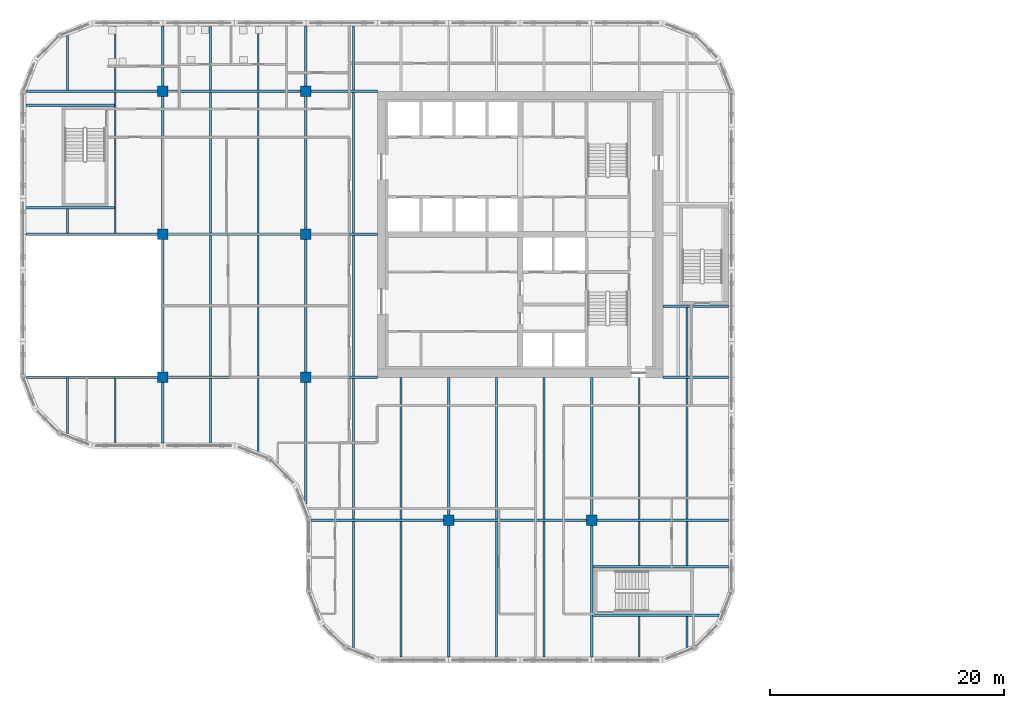
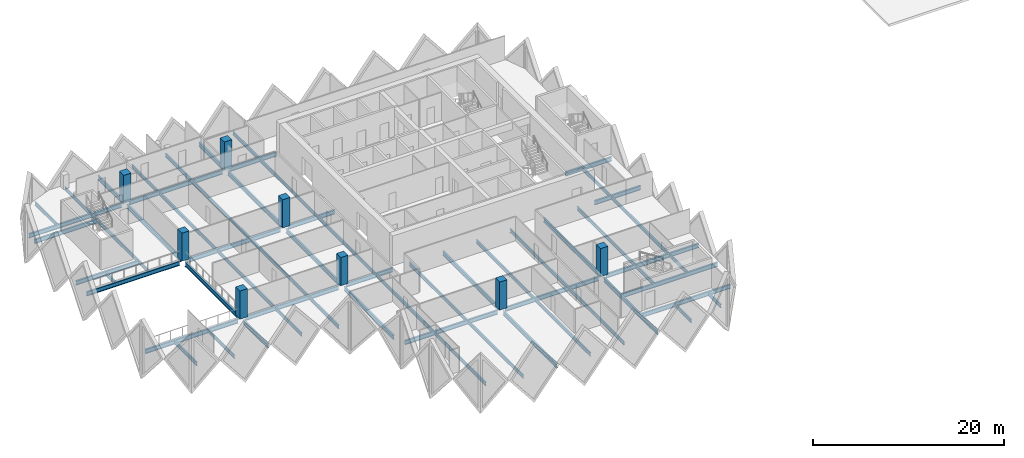
# One storey, part 1 of 13: 62 beams, 8 columns.
"""IFC4 building model written with IfcOpenShell, lengths in metres."""

from ifc_helpers import new_model, si_unit, direction, frame, origin, origin_2d, place, context, subcontext, project, spatial, rectangle, i_section, extrude, material, material_profile, profile_set, type_object, element, save


model = new_model("IFC4")

# Units and contexts
model_context = context("Model", 3, precision=1e-05, world=origin(), true_north=direction((0.0, 1.0)))
body_context = subcontext(model_context, "Body", "Model", "MODEL_VIEW")
ifc_project = project(units=[si_unit("LENGTHUNIT", "METRE"), si_unit("AREAUNIT", "SQUARE_METRE"), si_unit("VOLUMEUNIT", "CUBIC_METRE"), si_unit("PLANEANGLEUNIT", "RADIAN"), si_unit("MASSUNIT", "GRAM", prefix="KILO")], contexts=[model_context])

# Site, building, storey
site_placement = place(None, origin())
site = spatial("IfcSite", under=ifc_project, at=site_placement, CompositionType="ELEMENT")
building_placement = place(site_placement, origin())
building = spatial("IfcBuilding", under=site, at=building_placement, Name="Tessera Gate Towers", CompositionType="ELEMENT")
storey_placement = place(building_placement, frame((0.0, 0.0, 116.39990234375)))
storey = spatial("IfcBuildingStorey", under=building, at=storey_placement, Name="L28", CompositionType="ELEMENT", Elevation=116.39990234375)

# Columns
ifc_material_1 = material(Name="Concrete C70/85", Category="concrete")
ifc_material_profile_1 = material_profile(ifc_material_1, rectangle(XDim=0.89990234375, YDim=0.89990234375, at=origin_2d()), Name="RC 900x900")
ifc_profile_set_1 = profile_set([ifc_material_profile_1], Name="Concrete C70/85")
column_type = type_object("IfcColumnType", Name="COLUMN RC 900x900", PredefinedType="COLUMN", material=ifc_profile_set_1)
for number, where, z_axis, x_axis, name in (
    (1, (12.199951171875, 24.39990234375, 0.0), (0.0, 0.0, 1.0), (1.0, 0.0, 0.0), "T1-COL-2C-L28"),
    (2, (12.199951171875, 36.60009765625, 0.0), (0.0, 0.0, 1.0), (1.0, 0.0, 0.0), "T1-COL-2D-L28"),
    (3, (12.199951171875, 48.800048828125, 0.0), (0.0, 0.0, 1.0), (1.0, 0.0, 0.0), "T1-COL-2E-L28"),
    (4, (24.39990234375, 24.39990234375, 0.0), (0.0, 0.0, 1.0), (1.0, 0.0, 0.0), "T1-COL-3C-L28"),
    (5, (24.39990234375, 36.60009765625, 0.0), (0.0, 0.0, 1.0), (1.0, 0.0, 0.0), "T1-COL-3D-L28"),
    (6, (24.39990234375, 48.800048828125, 0.0), (0.0, 0.0, 1.0), (1.0, 0.0, 0.0), "T1-COL-3E-L28"),
    (7, (36.60009765625, 12.199951171875, 0.0), (0.0, 0.0, 1.0), (1.0, 0.0, 0.0), "T1-COL-4B-L28"),
    (8, (48.800048828125, 12.199951171875, 0.0), (0.0, 0.0, 1.0), (1.0, 0.0, 0.0), "T1-COL-5B-L28"),
):
    element("IfcColumn", number, at=place(storey_placement, frame(where, z_axis=z_axis, x_axis=x_axis)), inside=storey, type_object=column_type, Name=name, PredefinedType="COLUMN", context=body_context, shape_type="SweptSolid", body=[
        extrude(rectangle(XDim=0.89990234375, YDim=0.89990234375, at=origin_2d()), origin(), (0.0, 0.0, 1.0), 3.60009765625),
    ])

# Beams
ifc_material_2 = material(Name="Steel 350W", Category="steel")
ifc_material_profile_2 = material_profile(ifc_material_2, i_section(OverallWidth=0.208984375, OverallDepth=0.532958984375, WebThickness=0.01025390625, FlangeThickness=0.015625, at=origin_2d()), Name="W530x92")
ifc_profile_set_2 = profile_set([ifc_material_profile_2], Name="Steel 350W")
beam_type_1 = type_object("IfcBeamType", Name="FLOOR GIRDER W530x92", PredefinedType="BEAM", material=ifc_profile_set_2)
beam_1_placement = place(storey_placement, frame((24.89892578125, 12.199951171875, -0.46630859375), z_axis=(1.0, 0.0, 0.0), x_axis=(0.0, 1.0, 0.0)))
element("IfcBeam", 9, at=beam_1_placement, inside=storey, type_object=beam_type_1, Name="T1-GD-L28-3630", PredefinedType="BEAM", context=body_context, shape_type="SweptSolid", body=[
    extrude(i_section(OverallWidth=0.208984375, OverallDepth=0.532958984375, WebThickness=0.01025390625, FlangeThickness=0.015625, at=origin_2d()), origin(), (0.0, 0.0, 1.0), 11.2509765625),
])
beam_2_placement = place(storey_placement, frame((37.050048828125, 12.199951171875, -0.46630859375), z_axis=(1.0, 0.0, 0.0), x_axis=(0.0, 1.0, 0.0)))
element("IfcBeam", 10, at=beam_2_placement, inside=storey, type_object=beam_type_1, Name="T1-GD-L28-3631", PredefinedType="BEAM", context=body_context, shape_type="SweptSolid", body=[
    extrude(i_section(OverallWidth=0.208984375, OverallDepth=0.532958984375, WebThickness=0.01025390625, FlangeThickness=0.015625, at=origin_2d()), origin(), (0.0, 0.0, 1.0), 11.300048828125),
])
beam_3_placement = place(storey_placement, frame((49.25, 12.199951171875, -0.46630859375), z_axis=(1.0, 0.0, 0.0), x_axis=(0.0, 1.0, 0.0)))
element("IfcBeam", 11, at=beam_3_placement, inside=storey, type_object=beam_type_1, Name="T1-GD-L28-3632", PredefinedType="BEAM", context=body_context, shape_type="SweptSolid", body=[
    extrude(i_section(OverallWidth=0.208984375, OverallDepth=0.532958984375, WebThickness=0.01025390625, FlangeThickness=0.015625, at=origin_2d()), origin(), (0.0, 0.0, 1.0), 11.2509765625),
])
beam_4_placement = place(storey_placement, frame((0.534912109375, 24.39990234375, -0.46630859375), z_axis=(1.0, 0.0, 0.0), x_axis=(0.0, 1.0, 0.0)))
element("IfcBeam", 12, at=beam_4_placement, inside=storey, type_object=beam_type_1, Name="T1-GD-L28-3633", PredefinedType="BEAM", context=body_context, shape_type="SweptSolid", body=[
    extrude(i_section(OverallWidth=0.208984375, OverallDepth=0.532958984375, WebThickness=0.01025390625, FlangeThickness=0.015625, at=origin_2d()), origin(), (0.0, 0.0, 1.0), 11.215087890625),
])
beam_5_placement = place(storey_placement, frame((12.64990234375, 24.39990234375, -0.46630859375), z_axis=(1.0, 0.0, 0.0), x_axis=(0.0, 1.0, 0.0)))
element("IfcBeam", 13, at=beam_5_placement, inside=storey, type_object=beam_type_1, Name="T1-GD-L28-3634", PredefinedType="BEAM", context=body_context, shape_type="SweptSolid", body=[
    extrude(i_section(OverallWidth=0.208984375, OverallDepth=0.532958984375, WebThickness=0.01025390625, FlangeThickness=0.015625, at=origin_2d()), origin(), (0.0, 0.0, 1.0), 11.300048828125),
])
beam_6_placement = place(storey_placement, frame((24.85009765625, 24.39990234375, -0.46630859375), z_axis=(1.0, 0.0, 0.0), x_axis=(0.0, 1.0, 0.0)))
element("IfcBeam", 14, at=beam_6_placement, inside=storey, type_object=beam_type_1, Name="T1-GD-L28-3635", PredefinedType="BEAM", context=body_context, shape_type="SweptSolid", body=[
    extrude(i_section(OverallWidth=0.208984375, OverallDepth=0.532958984375, WebThickness=0.01025390625, FlangeThickness=0.015625, at=origin_2d()), origin(), (0.0, 0.0, 1.0), 5.64892578125),
])
beam_7_placement = place(storey_placement, frame((54.90087890625, 24.39990234375, -0.46630859375), z_axis=(1.0, 0.0, 0.0), x_axis=(0.0, 1.0, 0.0)))
element("IfcBeam", 15, at=beam_7_placement, inside=storey, type_object=beam_type_1, Name="T1-GD-L28-3636", PredefinedType="BEAM", context=body_context, shape_type="SweptSolid", body=[
    extrude(i_section(OverallWidth=0.208984375, OverallDepth=0.532958984375, WebThickness=0.01025390625, FlangeThickness=0.015625, at=origin_2d()), origin(), (0.0, 0.0, 1.0), 5.60009765625),
])
beam_8_placement = place(storey_placement, frame((0.4990234375, 36.60009765625, -0.46630859375), z_axis=(1.0, 0.0, 0.0), x_axis=(0.0, 1.0, 0.0)))
element("IfcBeam", 16, at=beam_8_placement, inside=storey, type_object=beam_type_1, Name="T1-GD-L28-3637", PredefinedType="BEAM", context=body_context, shape_type="SweptSolid", body=[
    extrude(i_section(OverallWidth=0.208984375, OverallDepth=0.532958984375, WebThickness=0.01025390625, FlangeThickness=0.015625, at=origin_2d()), origin(), (0.0, 0.0, 1.0), 11.2509765625),
])
beam_9_placement = place(storey_placement, frame((12.64990234375, 36.60009765625, -0.46630859375), z_axis=(1.0, 0.0, 0.0), x_axis=(0.0, 1.0, 0.0)))
element("IfcBeam", 17, at=beam_9_placement, inside=storey, type_object=beam_type_1, Name="T1-GD-L28-3638", PredefinedType="BEAM", context=body_context, shape_type="SweptSolid", body=[
    extrude(i_section(OverallWidth=0.208984375, OverallDepth=0.532958984375, WebThickness=0.01025390625, FlangeThickness=0.015625, at=origin_2d()), origin(), (0.0, 0.0, 1.0), 11.300048828125),
])
beam_10_placement = place(storey_placement, frame((24.85009765625, 36.60009765625, -0.46630859375), z_axis=(1.0, 0.0, 0.0), x_axis=(0.0, 1.0, 0.0)))
element("IfcBeam", 18, at=beam_10_placement, inside=storey, type_object=beam_type_1, Name="T1-GD-L28-3639", PredefinedType="BEAM", context=body_context, shape_type="SweptSolid", body=[
    extrude(i_section(OverallWidth=0.208984375, OverallDepth=0.532958984375, WebThickness=0.01025390625, FlangeThickness=0.015625, at=origin_2d()), origin(), (0.0, 0.0, 1.0), 5.65087890625),
])
beam_11_placement = place(storey_placement, frame((0.534912109375, 48.800048828125, -0.46630859375), z_axis=(1.0, 0.0, 0.0), x_axis=(0.0, 1.0, 0.0)))
element("IfcBeam", 19, at=beam_11_placement, inside=storey, type_object=beam_type_1, Name="T1-GD-L28-3641", PredefinedType="BEAM", context=body_context, shape_type="SweptSolid", body=[
    extrude(i_section(OverallWidth=0.208984375, OverallDepth=0.532958984375, WebThickness=0.01025390625, FlangeThickness=0.015625, at=origin_2d()), origin(), (0.0, 0.0, 1.0), 11.215087890625),
])
beam_12_placement = place(storey_placement, frame((12.64990234375, 48.800048828125, -0.46630859375), z_axis=(1.0, 0.0, 0.0), x_axis=(0.0, 1.0, 0.0)))
element("IfcBeam", 20, at=beam_12_placement, inside=storey, type_object=beam_type_1, Name="T1-GD-L28-3642", PredefinedType="BEAM", context=body_context, shape_type="SweptSolid", body=[
    extrude(i_section(OverallWidth=0.208984375, OverallDepth=0.532958984375, WebThickness=0.01025390625, FlangeThickness=0.015625, at=origin_2d()), origin(), (0.0, 0.0, 1.0), 11.300048828125),
])
beam_13_placement = place(storey_placement, frame((24.85009765625, 48.800048828125, -0.46630859375), z_axis=(1.0, 0.0, 0.0), x_axis=(0.0, 1.0, 0.0)))
element("IfcBeam", 21, at=beam_13_placement, inside=storey, type_object=beam_type_1, Name="T1-GD-L28-3643", PredefinedType="BEAM", context=body_context, shape_type="SweptSolid", body=[
    extrude(i_section(OverallWidth=0.208984375, OverallDepth=0.532958984375, WebThickness=0.01025390625, FlangeThickness=0.015625, at=origin_2d()), origin(), (0.0, 0.0, 1.0), 5.64892578125),
])
beam_14_placement = place(storey_placement, frame((12.199951171875, 18.799072265625, -0.46630859375), z_axis=(0.0, 1.0, 0.0), x_axis=(-1.0, 0.0, 0.0)))
element("IfcBeam", 22, at=beam_14_placement, inside=storey, type_object=beam_type_1, Name="T1-GD-L28-3645", PredefinedType="BEAM", context=body_context, shape_type="SweptSolid", body=[
    extrude(i_section(OverallWidth=0.208984375, OverallDepth=0.532958984375, WebThickness=0.01025390625, FlangeThickness=0.015625, at=origin_2d()), origin(), (0.0, 0.0, 1.0), 5.15087890625),
])
beam_15_placement = place(storey_placement, frame((12.199951171875, 24.85009765625, -0.46630859375), z_axis=(0.0, 1.0, 0.0), x_axis=(-1.0, 0.0, 0.0)))
element("IfcBeam", 23, at=beam_15_placement, inside=storey, type_object=beam_type_1, Name="T1-GD-L28-3646", PredefinedType="BEAM", context=body_context, shape_type="SweptSolid", body=[
    extrude(i_section(OverallWidth=0.208984375, OverallDepth=0.532958984375, WebThickness=0.01025390625, FlangeThickness=0.015625, at=origin_2d()), origin(), (0.0, 0.0, 1.0), 11.2998046875),
])
beam_16_placement = place(storey_placement, frame((12.199951171875, 37.050048828125, -0.46630859375), z_axis=(0.0, 1.0, 0.0), x_axis=(-1.0, 0.0, 0.0)))
element("IfcBeam", 24, at=beam_16_placement, inside=storey, type_object=beam_type_1, Name="T1-GD-L28-3647", PredefinedType="BEAM", context=body_context, shape_type="SweptSolid", body=[
    extrude(i_section(OverallWidth=0.208984375, OverallDepth=0.532958984375, WebThickness=0.01025390625, FlangeThickness=0.015625, at=origin_2d()), origin(), (0.0, 0.0, 1.0), 11.300048828125),
])
beam_17_placement = place(storey_placement, frame((12.199951171875, 49.25, -0.46630859375), z_axis=(0.0, 1.0, 0.0), x_axis=(-1.0, 0.0, 0.0)))
element("IfcBeam", 25, at=beam_17_placement, inside=storey, type_object=beam_type_1, Name="T1-GD-L28-3648", PredefinedType="BEAM", context=body_context, shape_type="SweptSolid", body=[
    extrude(i_section(OverallWidth=0.208984375, OverallDepth=0.532958984375, WebThickness=0.01025390625, FlangeThickness=0.015625, at=origin_2d()), origin(), (0.0, 0.0, 1.0), 5.15087890625),
])
beam_18_placement = place(storey_placement, frame((24.39990234375, 13.58642578125, -0.46630859375), z_axis=(0.0, 1.0, 0.0), x_axis=(-1.0, 0.0, 0.0)))
element("IfcBeam", 26, at=beam_18_placement, inside=storey, type_object=beam_type_1, Name="T1-GD-L28-3649", PredefinedType="BEAM", context=body_context, shape_type="SweptSolid", body=[
    extrude(i_section(OverallWidth=0.208984375, OverallDepth=0.532958984375, WebThickness=0.01025390625, FlangeThickness=0.015625, at=origin_2d()), origin(), (0.0, 0.0, 1.0), 10.363525390625),
])
beam_19_placement = place(storey_placement, frame((24.39990234375, 24.85009765625, -0.46630859375), z_axis=(0.0, 1.0, 0.0), x_axis=(-1.0, 0.0, 0.0)))
element("IfcBeam", 27, at=beam_19_placement, inside=storey, type_object=beam_type_1, Name="T1-GD-L28-3650", PredefinedType="BEAM", context=body_context, shape_type="SweptSolid", body=[
    extrude(i_section(OverallWidth=0.208984375, OverallDepth=0.532958984375, WebThickness=0.01025390625, FlangeThickness=0.015625, at=origin_2d()), origin(), (0.0, 0.0, 1.0), 11.2998046875),
])
beam_20_placement = place(storey_placement, frame((24.39990234375, 37.050048828125, -0.46630859375), z_axis=(0.0, 1.0, 0.0), x_axis=(-1.0, 0.0, 0.0)))
element("IfcBeam", 28, at=beam_20_placement, inside=storey, type_object=beam_type_1, Name="T1-GD-L28-3651", PredefinedType="BEAM", context=body_context, shape_type="SweptSolid", body=[
    extrude(i_section(OverallWidth=0.208984375, OverallDepth=0.532958984375, WebThickness=0.01025390625, FlangeThickness=0.015625, at=origin_2d()), origin(), (0.0, 0.0, 1.0), 11.300048828125),
])
beam_21_placement = place(storey_placement, frame((24.39990234375, 49.25, -0.46630859375), z_axis=(0.0, 1.0, 0.0), x_axis=(-1.0, 0.0, 0.0)))
element("IfcBeam", 29, at=beam_21_placement, inside=storey, type_object=beam_type_1, Name="T1-GD-L28-3652", PredefinedType="BEAM", context=body_context, shape_type="SweptSolid", body=[
    extrude(i_section(OverallWidth=0.208984375, OverallDepth=0.532958984375, WebThickness=0.01025390625, FlangeThickness=0.015625, at=origin_2d()), origin(), (0.0, 0.0, 1.0), 5.15087890625),
])
beam_22_placement = place(storey_placement, frame((36.60009765625, 0.4990234375, -0.46630859375), z_axis=(0.0, 1.0, 0.0), x_axis=(-1.0, 0.0, 0.0)))
element("IfcBeam", 30, at=beam_22_placement, inside=storey, type_object=beam_type_1, Name="T1-GD-L28-3653", PredefinedType="BEAM", context=body_context, shape_type="SweptSolid", body=[
    extrude(i_section(OverallWidth=0.208984375, OverallDepth=0.532958984375, WebThickness=0.01025390625, FlangeThickness=0.015625, at=origin_2d()), origin(), (0.0, 0.0, 1.0), 11.2509765625),
])
beam_23_placement = place(storey_placement, frame((36.60009765625, 12.64990234375, -0.46630859375), z_axis=(0.0, 1.0, 0.0), x_axis=(-1.0, 0.0, 0.0)))
element("IfcBeam", 31, at=beam_23_placement, inside=storey, type_object=beam_type_1, Name="T1-GD-L28-3654", PredefinedType="BEAM", context=body_context, shape_type="SweptSolid", body=[
    extrude(i_section(OverallWidth=0.208984375, OverallDepth=0.532958984375, WebThickness=0.01025390625, FlangeThickness=0.015625, at=origin_2d()), origin(), (0.0, 0.0, 1.0), 11.75),
])
beam_24_placement = place(storey_placement, frame((48.800048828125, 0.4990234375, -0.46630859375), z_axis=(0.0, 1.0, 0.0), x_axis=(-1.0, 0.0, 0.0)))
element("IfcBeam", 32, at=beam_24_placement, inside=storey, type_object=beam_type_1, Name="T1-GD-L28-3655", PredefinedType="BEAM", context=body_context, shape_type="SweptSolid", body=[
    extrude(i_section(OverallWidth=0.208984375, OverallDepth=0.532958984375, WebThickness=0.01025390625, FlangeThickness=0.015625, at=origin_2d()), origin(), (0.0, 0.0, 1.0), 11.2509765625),
])
beam_25_placement = place(storey_placement, frame((48.800048828125, 12.64990234375, -0.46630859375), z_axis=(0.0, 1.0, 0.0), x_axis=(-1.0, 0.0, 0.0)))
element("IfcBeam", 33, at=beam_25_placement, inside=storey, type_object=beam_type_1, Name="T1-GD-L28-3656", PredefinedType="BEAM", context=body_context, shape_type="SweptSolid", body=[
    extrude(i_section(OverallWidth=0.208984375, OverallDepth=0.532958984375, WebThickness=0.01025390625, FlangeThickness=0.015625, at=origin_2d()), origin(), (0.0, 0.0, 1.0), 11.75),
])
for number, where, z_axis, x_axis, name in (
    (34, (0.4990234375, 38.8798828125, -0.46630859375), (1.0, 0.0, 0.0), (0.0, 1.0, 0.0), "T1-GD-L28-3657"),
    (35, (0.4990234375, 47.6201171875, -0.46630859375), (1.0, 0.0, 0.0), (0.0, 1.0, 0.0), "T1-GD-L28-3658"),
):
    element("IfcBeam", number, at=place(storey_placement, frame(where, z_axis=z_axis, x_axis=x_axis)), inside=storey, type_object=beam_type_1, Name=name, PredefinedType="BEAM", context=body_context, shape_type="SweptSolid", body=[
        extrude(i_section(OverallWidth=0.208984375, OverallDepth=0.532958984375, WebThickness=0.01025390625, FlangeThickness=0.015625, at=origin_2d()), origin(), (0.0, 0.0, 1.0), 7.557861328125),
    ])
beam_26_placement = place(storey_placement, frame((48.87646484375, 4.080078125, -0.46630859375), z_axis=(1.0, 0.0, 0.0), x_axis=(0.0, 1.0, 0.0)))
element("IfcBeam", 36, at=beam_26_placement, inside=storey, type_object=beam_type_1, Name="T1-GD-L28-3659", PredefinedType="BEAM", context=body_context, shape_type="SweptSolid", body=[
    extrude(i_section(OverallWidth=0.208984375, OverallDepth=0.532958984375, WebThickness=0.01025390625, FlangeThickness=0.015625, at=origin_2d()), origin(), (0.0, 0.0, 1.0), 10.809326171875),
])
beam_27_placement = place(storey_placement, frame((48.87646484375, 8.219970703125, -0.46630859375), z_axis=(1.0, 0.0, 0.0), x_axis=(0.0, 1.0, 0.0)))
element("IfcBeam", 37, at=beam_27_placement, inside=storey, type_object=beam_type_1, Name="T1-GD-L28-3660", PredefinedType="BEAM", context=body_context, shape_type="SweptSolid", body=[
    extrude(i_section(OverallWidth=0.208984375, OverallDepth=0.532958984375, WebThickness=0.01025390625, FlangeThickness=0.015625, at=origin_2d()), origin(), (0.0, 0.0, 1.0), 11.62451171875),
])
beam_28_placement = place(storey_placement, frame((54.89892578125, 30.47998046875, -0.46630859375), z_axis=(1.0, 0.0, 0.0), x_axis=(0.0, 1.0, 0.0)))
element("IfcBeam", 38, at=beam_28_placement, inside=storey, type_object=beam_type_1, Name="T1-GD-L28-3661", PredefinedType="BEAM", context=body_context, shape_type="SweptSolid", body=[
    extrude(i_section(OverallWidth=0.208984375, OverallDepth=0.532958984375, WebThickness=0.01025390625, FlangeThickness=0.015625, at=origin_2d()), origin(), (0.0, 0.0, 1.0), 5.60205078125),
])
ifc_material_3 = material(Name="Steel 350W", Category="steel")
ifc_material_profile_3 = material_profile(ifc_material_3, i_section(OverallWidth=0.153076171875, OverallDepth=0.455078125, WebThickness=0.008056640625, FlangeThickness=0.01318359375, at=origin_2d()), Name="W460x60")
ifc_profile_set_3 = profile_set([ifc_material_profile_3], Name="Steel 350W")
beam_type_2 = type_object("IfcBeamType", Name="FLOOR SECONDARY W460x60", PredefinedType="BEAM", material=ifc_profile_set_3)
beam_29_placement = place(storey_placement, frame((4.066650390625, 19.620361328125, -0.427490234375), z_axis=(0.0, 1.0, 0.0), x_axis=(-1.0, 0.0, 0.0)))
element("IfcBeam", 39, at=beam_29_placement, inside=storey, type_object=beam_type_2, Name="T1-BM-L28-3664", PredefinedType="BEAM", context=body_context, shape_type="SweptSolid", body=[
    extrude(i_section(OverallWidth=0.153076171875, OverallDepth=0.455078125, WebThickness=0.008056640625, FlangeThickness=0.01318359375, at=origin_2d()), origin(), (0.0, 0.0, 1.0), 4.779541015625),
])
beam_30_placement = place(storey_placement, frame((4.066650390625, 36.70458984375, -0.427490234375), z_axis=(0.0, 1.0, 0.0), x_axis=(-1.0, 0.0, 0.0)))
element("IfcBeam", 40, at=beam_30_placement, inside=storey, type_object=beam_type_2, Name="T1-BM-L28-3665", PredefinedType="BEAM", context=body_context, shape_type="SweptSolid", body=[
    extrude(i_section(OverallWidth=0.153076171875, OverallDepth=0.455078125, WebThickness=0.008056640625, FlangeThickness=0.01318359375, at=origin_2d()), origin(), (0.0, 0.0, 1.0), 2.07080078125),
])
beam_31_placement = place(storey_placement, frame((4.066650390625, 48.904541015625, -0.427490234375), z_axis=(0.0, 1.0, 0.0), x_axis=(-1.0, 0.0, 0.0)))
element("IfcBeam", 41, at=beam_31_placement, inside=storey, type_object=beam_type_2, Name="T1-BM-L28-3666", PredefinedType="BEAM", context=body_context, shape_type="SweptSolid", body=[
    extrude(i_section(OverallWidth=0.153076171875, OverallDepth=0.455078125, WebThickness=0.008056640625, FlangeThickness=0.01318359375, at=origin_2d()), origin(), (0.0, 0.0, 1.0), 4.675048828125),
])
beam_32_placement = place(storey_placement, frame((8.13330078125, 18.800048828125, -0.427490234375), z_axis=(0.0, 1.0, 0.0), x_axis=(-1.0, 0.0, 0.0)))
element("IfcBeam", 42, at=beam_32_placement, inside=storey, type_object=beam_type_2, Name="T1-BM-L28-3667", PredefinedType="BEAM", context=body_context, shape_type="SweptSolid", body=[
    extrude(i_section(OverallWidth=0.153076171875, OverallDepth=0.455078125, WebThickness=0.008056640625, FlangeThickness=0.01318359375, at=origin_2d()), origin(), (0.0, 0.0, 1.0), 5.599853515625),
])
beam_33_placement = place(storey_placement, frame((8.13330078125, 36.70458984375, -0.427490234375), z_axis=(0.0, 1.0, 0.0), x_axis=(-1.0, 0.0, 0.0)))
element("IfcBeam", 43, at=beam_33_placement, inside=storey, type_object=beam_type_2, Name="T1-BM-L28-3668", PredefinedType="BEAM", context=body_context, shape_type="SweptSolid", body=[
    extrude(i_section(OverallWidth=0.153076171875, OverallDepth=0.455078125, WebThickness=0.008056640625, FlangeThickness=0.01318359375, at=origin_2d()), origin(), (0.0, 0.0, 1.0), 11.990966796875),
])
for number, where, z_axis, x_axis, name in (
    (44, (8.13330078125, 48.904541015625, -0.427490234375), (0.0, 1.0, 0.0), (-1.0, 0.0, 0.0), "T1-BM-L28-3669"),
    (45, (16.2666015625, 18.800048828125, -0.427490234375), (0.0, 1.0, 0.0), (-1.0, 0.0, 0.0), "T1-BM-L28-3670"),
):
    element("IfcBeam", number, at=place(storey_placement, frame(where, z_axis=z_axis, x_axis=x_axis)), inside=storey, type_object=beam_type_2, Name=name, PredefinedType="BEAM", context=body_context, shape_type="SweptSolid", body=[
        extrude(i_section(OverallWidth=0.153076171875, OverallDepth=0.455078125, WebThickness=0.008056640625, FlangeThickness=0.01318359375, at=origin_2d()), origin(), (0.0, 0.0, 1.0), 5.495361328125),
    ])
beam_34_placement = place(storey_placement, frame((16.2666015625, 24.50439453125, -0.427490234375), z_axis=(0.0, 1.0, 0.0), x_axis=(-1.0, 0.0, 0.0)))
element("IfcBeam", 46, at=beam_34_placement, inside=storey, type_object=beam_type_2, Name="T1-BM-L28-3671", PredefinedType="BEAM", context=body_context, shape_type="SweptSolid", body=[
    extrude(i_section(OverallWidth=0.153076171875, OverallDepth=0.455078125, WebThickness=0.008056640625, FlangeThickness=0.01318359375, at=origin_2d()), origin(), (0.0, 0.0, 1.0), 11.9912109375),
])
beam_35_placement = place(storey_placement, frame((16.2666015625, 36.70458984375, -0.427490234375), z_axis=(0.0, 1.0, 0.0), x_axis=(-1.0, 0.0, 0.0)))
element("IfcBeam", 47, at=beam_35_placement, inside=storey, type_object=beam_type_2, Name="T1-BM-L28-3672", PredefinedType="BEAM", context=body_context, shape_type="SweptSolid", body=[
    extrude(i_section(OverallWidth=0.153076171875, OverallDepth=0.455078125, WebThickness=0.008056640625, FlangeThickness=0.01318359375, at=origin_2d()), origin(), (0.0, 0.0, 1.0), 11.990966796875),
])
beam_36_placement = place(storey_placement, frame((16.2666015625, 48.904541015625, -0.427490234375), z_axis=(0.0, 1.0, 0.0), x_axis=(-1.0, 0.0, 0.0)))
element("IfcBeam", 48, at=beam_36_placement, inside=storey, type_object=beam_type_2, Name="T1-BM-L28-3673", PredefinedType="BEAM", context=body_context, shape_type="SweptSolid", body=[
    extrude(i_section(OverallWidth=0.153076171875, OverallDepth=0.455078125, WebThickness=0.008056640625, FlangeThickness=0.01318359375, at=origin_2d()), origin(), (0.0, 0.0, 1.0), 5.495361328125),
])
beam_37_placement = place(storey_placement, frame((20.333251953125, 18.051513671875, -0.427490234375), z_axis=(0.0, 1.0, 0.0), x_axis=(-1.0, 0.0, 0.0)))
element("IfcBeam", 49, at=beam_37_placement, inside=storey, type_object=beam_type_2, Name="T1-BM-L28-3674", PredefinedType="BEAM", context=body_context, shape_type="SweptSolid", body=[
    extrude(i_section(OverallWidth=0.153076171875, OverallDepth=0.455078125, WebThickness=0.008056640625, FlangeThickness=0.01318359375, at=origin_2d()), origin(), (0.0, 0.0, 1.0), 6.243896484375),
])
beam_38_placement = place(storey_placement, frame((20.333251953125, 24.50439453125, -0.427490234375), z_axis=(0.0, 1.0, 0.0), x_axis=(-1.0, 0.0, 0.0)))
element("IfcBeam", 50, at=beam_38_placement, inside=storey, type_object=beam_type_2, Name="T1-BM-L28-3675", PredefinedType="BEAM", context=body_context, shape_type="SweptSolid", body=[
    extrude(i_section(OverallWidth=0.153076171875, OverallDepth=0.455078125, WebThickness=0.008056640625, FlangeThickness=0.01318359375, at=origin_2d()), origin(), (0.0, 0.0, 1.0), 11.9912109375),
])
beam_39_placement = place(storey_placement, frame((20.333251953125, 36.70458984375, -0.427490234375), z_axis=(0.0, 1.0, 0.0), x_axis=(-1.0, 0.0, 0.0)))
element("IfcBeam", 51, at=beam_39_placement, inside=storey, type_object=beam_type_2, Name="T1-BM-L28-3676", PredefinedType="BEAM", context=body_context, shape_type="SweptSolid", body=[
    extrude(i_section(OverallWidth=0.153076171875, OverallDepth=0.455078125, WebThickness=0.008056640625, FlangeThickness=0.01318359375, at=origin_2d()), origin(), (0.0, 0.0, 1.0), 11.990966796875),
])
beam_40_placement = place(storey_placement, frame((20.333251953125, 48.904541015625, -0.427490234375), z_axis=(0.0, 1.0, 0.0), x_axis=(-1.0, 0.0, 0.0)))
element("IfcBeam", 52, at=beam_40_placement, inside=storey, type_object=beam_type_2, Name="T1-BM-L28-3677", PredefinedType="BEAM", context=body_context, shape_type="SweptSolid", body=[
    extrude(i_section(OverallWidth=0.153076171875, OverallDepth=0.455078125, WebThickness=0.008056640625, FlangeThickness=0.01318359375, at=origin_2d()), origin(), (0.0, 0.0, 1.0), 5.495361328125),
])
beam_41_placement = place(storey_placement, frame((28.466796875, 1.3203125, -0.427490234375), z_axis=(0.0, 1.0, 0.0), x_axis=(-1.0, 0.0, 0.0)))
element("IfcBeam", 53, at=beam_41_placement, inside=storey, type_object=beam_type_2, Name="T1-BM-L28-3678", PredefinedType="BEAM", context=body_context, shape_type="SweptSolid", body=[
    extrude(i_section(OverallWidth=0.153076171875, OverallDepth=0.455078125, WebThickness=0.008056640625, FlangeThickness=0.01318359375, at=origin_2d()), origin(), (0.0, 0.0, 1.0), 10.775146484375),
])
beam_42_placement = place(storey_placement, frame((28.466796875, 12.304443359375, -0.427490234375), z_axis=(0.0, 1.0, 0.0), x_axis=(-1.0, 0.0, 0.0)))
element("IfcBeam", 54, at=beam_42_placement, inside=storey, type_object=beam_type_2, Name="T1-BM-L28-3679", PredefinedType="BEAM", context=body_context, shape_type="SweptSolid", body=[
    extrude(i_section(OverallWidth=0.153076171875, OverallDepth=0.455078125, WebThickness=0.008056640625, FlangeThickness=0.01318359375, at=origin_2d()), origin(), (0.0, 0.0, 1.0), 11.990966796875),
])
beam_43_placement = place(storey_placement, frame((28.466796875, 24.50439453125, -0.427490234375), z_axis=(0.0, 1.0, 0.0), x_axis=(-1.0, 0.0, 0.0)))
element("IfcBeam", 55, at=beam_43_placement, inside=storey, type_object=beam_type_2, Name="T1-BM-L28-3680", PredefinedType="BEAM", context=body_context, shape_type="SweptSolid", body=[
    extrude(i_section(OverallWidth=0.153076171875, OverallDepth=0.455078125, WebThickness=0.008056640625, FlangeThickness=0.01318359375, at=origin_2d()), origin(), (0.0, 0.0, 1.0), 11.9912109375),
])
beam_44_placement = place(storey_placement, frame((28.466796875, 36.70458984375, -0.427490234375), z_axis=(0.0, 1.0, 0.0), x_axis=(-1.0, 0.0, 0.0)))
element("IfcBeam", 56, at=beam_44_placement, inside=storey, type_object=beam_type_2, Name="T1-BM-L28-3681", PredefinedType="BEAM", context=body_context, shape_type="SweptSolid", body=[
    extrude(i_section(OverallWidth=0.153076171875, OverallDepth=0.455078125, WebThickness=0.008056640625, FlangeThickness=0.01318359375, at=origin_2d()), origin(), (0.0, 0.0, 1.0), 11.990966796875),
])
beam_45_placement = place(storey_placement, frame((28.466796875, 48.904541015625, -0.427490234375), z_axis=(0.0, 1.0, 0.0), x_axis=(-1.0, 0.0, 0.0)))
element("IfcBeam", 57, at=beam_45_placement, inside=storey, type_object=beam_type_2, Name="T1-BM-L28-3682", PredefinedType="BEAM", context=body_context, shape_type="SweptSolid", body=[
    extrude(i_section(OverallWidth=0.153076171875, OverallDepth=0.455078125, WebThickness=0.008056640625, FlangeThickness=0.01318359375, at=origin_2d()), origin(), (0.0, 0.0, 1.0), 5.495361328125),
])
beam_46_placement = place(storey_placement, frame((32.533203125, 0.5, -0.427490234375), z_axis=(0.0, 1.0, 0.0), x_axis=(-1.0, 0.0, 0.0)))
element("IfcBeam", 58, at=beam_46_placement, inside=storey, type_object=beam_type_2, Name="T1-BM-L28-3683", PredefinedType="BEAM", context=body_context, shape_type="SweptSolid", body=[
    extrude(i_section(OverallWidth=0.153076171875, OverallDepth=0.455078125, WebThickness=0.008056640625, FlangeThickness=0.01318359375, at=origin_2d()), origin(), (0.0, 0.0, 1.0), 11.595458984375),
])
beam_47_placement = place(storey_placement, frame((32.533203125, 12.304443359375, -0.427490234375), z_axis=(0.0, 1.0, 0.0), x_axis=(-1.0, 0.0, 0.0)))
element("IfcBeam", 59, at=beam_47_placement, inside=storey, type_object=beam_type_2, Name="T1-BM-L28-3684", PredefinedType="BEAM", context=body_context, shape_type="SweptSolid", body=[
    extrude(i_section(OverallWidth=0.153076171875, OverallDepth=0.455078125, WebThickness=0.008056640625, FlangeThickness=0.01318359375, at=origin_2d()), origin(), (0.0, 0.0, 1.0), 12.095458984375),
])
beam_48_placement = place(storey_placement, frame((40.666748046875, 0.5, -0.427490234375), z_axis=(0.0, 1.0, 0.0), x_axis=(-1.0, 0.0, 0.0)))
element("IfcBeam", 60, at=beam_48_placement, inside=storey, type_object=beam_type_2, Name="T1-BM-L28-3687", PredefinedType="BEAM", context=body_context, shape_type="SweptSolid", body=[
    extrude(i_section(OverallWidth=0.153076171875, OverallDepth=0.455078125, WebThickness=0.008056640625, FlangeThickness=0.01318359375, at=origin_2d()), origin(), (0.0, 0.0, 1.0), 11.595458984375),
])
beam_49_placement = place(storey_placement, frame((40.666748046875, 12.304443359375, -0.427490234375), z_axis=(0.0, 1.0, 0.0), x_axis=(-1.0, 0.0, 0.0)))
element("IfcBeam", 61, at=beam_49_placement, inside=storey, type_object=beam_type_2, Name="T1-BM-L28-3688", PredefinedType="BEAM", context=body_context, shape_type="SweptSolid", body=[
    extrude(i_section(OverallWidth=0.153076171875, OverallDepth=0.455078125, WebThickness=0.008056640625, FlangeThickness=0.01318359375, at=origin_2d()), origin(), (0.0, 0.0, 1.0), 12.095458984375),
])
beam_50_placement = place(storey_placement, frame((44.7333984375, 0.5, -0.427490234375), z_axis=(0.0, 1.0, 0.0), x_axis=(-1.0, 0.0, 0.0)))
element("IfcBeam", 62, at=beam_50_placement, inside=storey, type_object=beam_type_2, Name="T1-BM-L28-3690", PredefinedType="BEAM", context=body_context, shape_type="SweptSolid", body=[
    extrude(i_section(OverallWidth=0.153076171875, OverallDepth=0.455078125, WebThickness=0.008056640625, FlangeThickness=0.01318359375, at=origin_2d()), origin(), (0.0, 0.0, 1.0), 11.595458984375),
])
beam_51_placement = place(storey_placement, frame((44.7333984375, 12.304443359375, -0.427490234375), z_axis=(0.0, 1.0, 0.0), x_axis=(-1.0, 0.0, 0.0)))
element("IfcBeam", 63, at=beam_51_placement, inside=storey, type_object=beam_type_2, Name="T1-BM-L28-3691", PredefinedType="BEAM", context=body_context, shape_type="SweptSolid", body=[
    extrude(i_section(OverallWidth=0.153076171875, OverallDepth=0.455078125, WebThickness=0.008056640625, FlangeThickness=0.01318359375, at=origin_2d()), origin(), (0.0, 0.0, 1.0), 12.095458984375),
])
beam_52_placement = place(storey_placement, frame((52.86669921875, 0.5, -0.427490234375), z_axis=(0.0, 1.0, 0.0), x_axis=(-1.0, 0.0, 0.0)))
element("IfcBeam", 64, at=beam_52_placement, inside=storey, type_object=beam_type_2, Name="T1-BM-L28-3694", PredefinedType="BEAM", context=body_context, shape_type="SweptSolid", body=[
    extrude(i_section(OverallWidth=0.153076171875, OverallDepth=0.455078125, WebThickness=0.008056640625, FlangeThickness=0.01318359375, at=origin_2d()), origin(), (0.0, 0.0, 1.0), 3.4755859375),
])
beam_53_placement = place(storey_placement, frame((52.86669921875, 8.324462890625, -0.427490234375), z_axis=(0.0, 1.0, 0.0), x_axis=(-1.0, 0.0, 0.0)))
element("IfcBeam", 65, at=beam_53_placement, inside=storey, type_object=beam_type_2, Name="T1-BM-L28-3695", PredefinedType="BEAM", context=body_context, shape_type="SweptSolid", body=[
    extrude(i_section(OverallWidth=0.153076171875, OverallDepth=0.455078125, WebThickness=0.008056640625, FlangeThickness=0.01318359375, at=origin_2d()), origin(), (0.0, 0.0, 1.0), 3.77099609375),
])
beam_54_placement = place(storey_placement, frame((52.86669921875, 12.304443359375, -0.427490234375), z_axis=(0.0, 1.0, 0.0), x_axis=(-1.0, 0.0, 0.0)))
element("IfcBeam", 66, at=beam_54_placement, inside=storey, type_object=beam_type_2, Name="T1-BM-L28-3696", PredefinedType="BEAM", context=body_context, shape_type="SweptSolid", body=[
    extrude(i_section(OverallWidth=0.153076171875, OverallDepth=0.455078125, WebThickness=0.008056640625, FlangeThickness=0.01318359375, at=origin_2d()), origin(), (0.0, 0.0, 1.0), 12.095458984375),
])
beam_55_placement = place(storey_placement, frame((56.933349609375, 1.3203125, -0.427490234375), z_axis=(0.0, 1.0, 0.0), x_axis=(-1.0, 0.0, 0.0)))
element("IfcBeam", 67, at=beam_55_placement, inside=storey, type_object=beam_type_2, Name="T1-BM-L28-3698", PredefinedType="BEAM", context=body_context, shape_type="SweptSolid", body=[
    extrude(i_section(OverallWidth=0.153076171875, OverallDepth=0.455078125, WebThickness=0.008056640625, FlangeThickness=0.01318359375, at=origin_2d()), origin(), (0.0, 0.0, 1.0), 2.6552734375),
])
beam_56_placement = place(storey_placement, frame((56.933349609375, 8.324462890625, -0.427490234375), z_axis=(0.0, 1.0, 0.0), x_axis=(-1.0, 0.0, 0.0)))
element("IfcBeam", 68, at=beam_56_placement, inside=storey, type_object=beam_type_2, Name="T1-BM-L28-3699", PredefinedType="BEAM", context=body_context, shape_type="SweptSolid", body=[
    extrude(i_section(OverallWidth=0.153076171875, OverallDepth=0.455078125, WebThickness=0.008056640625, FlangeThickness=0.01318359375, at=origin_2d()), origin(), (0.0, 0.0, 1.0), 3.77099609375),
])
beam_57_placement = place(storey_placement, frame((56.933349609375, 12.304443359375, -0.427490234375), z_axis=(0.0, 1.0, 0.0), x_axis=(-1.0, 0.0, 0.0)))
element("IfcBeam", 69, at=beam_57_placement, inside=storey, type_object=beam_type_2, Name="T1-BM-L28-3700", PredefinedType="BEAM", context=body_context, shape_type="SweptSolid", body=[
    extrude(i_section(OverallWidth=0.153076171875, OverallDepth=0.455078125, WebThickness=0.008056640625, FlangeThickness=0.01318359375, at=origin_2d()), origin(), (0.0, 0.0, 1.0), 11.990966796875),
])
beam_58_placement = place(storey_placement, frame((56.933349609375, 24.50439453125, -0.427490234375), z_axis=(0.0, 1.0, 0.0), x_axis=(-1.0, 0.0, 0.0)))
element("IfcBeam", 70, at=beam_58_placement, inside=storey, type_object=beam_type_2, Name="T1-BM-L28-3701", PredefinedType="BEAM", context=body_context, shape_type="SweptSolid", body=[
    extrude(i_section(OverallWidth=0.153076171875, OverallDepth=0.455078125, WebThickness=0.008056640625, FlangeThickness=0.01318359375, at=origin_2d()), origin(), (0.0, 0.0, 1.0), 5.87109375),
])

save(model, "model.ifc")
